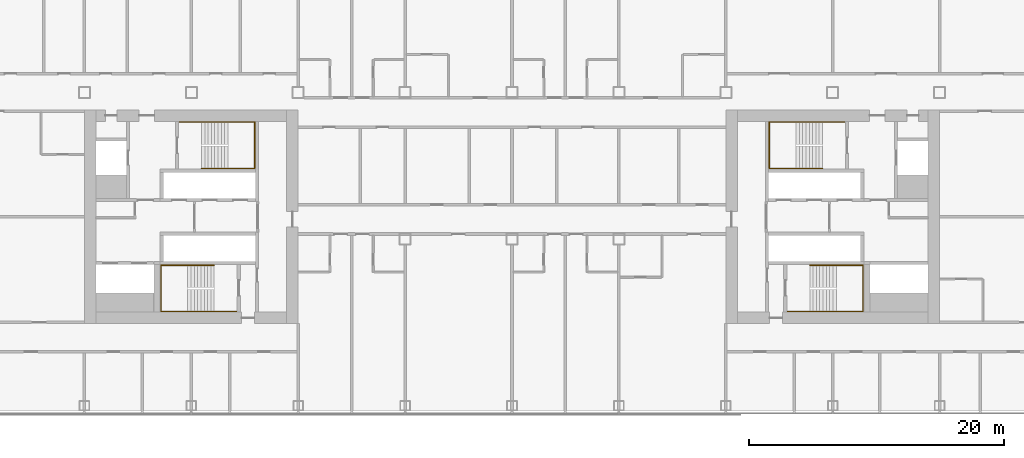
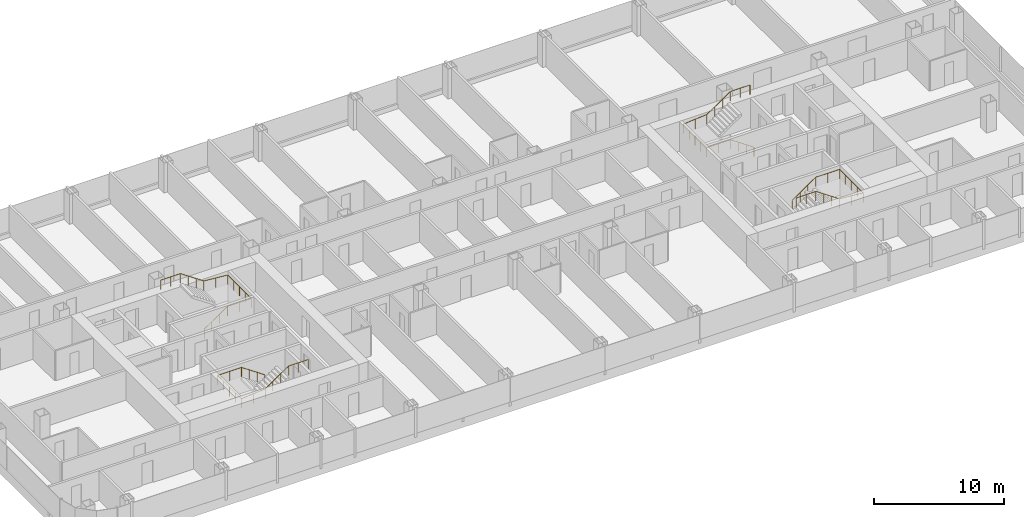
# One storey, part 29 of 29: 4 railings.
"""IFC4 building model written with IfcOpenShell, lengths in metres."""

from ifc_helpers import new_model, si_unit, direction, frame, origin, origin_2d, place, context, subcontext, project, spatial, circle, extrude, material, type_object, element, save


model = new_model("IFC4")

# Units and contexts
model_context = context("Model", 3, precision=1e-05, world=origin(), true_north=direction((0.0, 1.0)))
body_context = subcontext(model_context, "Body", "Model", "MODEL_VIEW")
ifc_project = project(units=[si_unit("LENGTHUNIT", "METRE"), si_unit("AREAUNIT", "SQUARE_METRE"), si_unit("VOLUMEUNIT", "CUBIC_METRE"), si_unit("PLANEANGLEUNIT", "RADIAN"), si_unit("MASSUNIT", "GRAM", prefix="KILO")], contexts=[model_context])

# Site, building, storey
site_placement = place(None, origin())
site = spatial("IfcSite", under=ifc_project, at=site_placement, CompositionType="ELEMENT")
building_placement = place(site_placement, origin())
building = spatial("IfcBuilding", under=site, at=building_placement, Name="Hakoniwa Tower and Hamabe Station Hall", CompositionType="ELEMENT")
storey_placement = place(building_placement, frame((0.0, 0.0, 101.0)))
storey = spatial("IfcBuildingStorey", under=building, at=storey_placement, Name="L28", CompositionType="ELEMENT", Elevation=101.0)

# Railings
ifc_material = material(Name="Stainless steel SUS304", Category="steel")
railing_type = type_object("IfcRailingType", Name="STAIR HANDRAIL 900", PredefinedType="HANDRAIL", material=ifc_material)
railing_1_placement = place(storey_placement, frame((-24.39990234375, 3.81005859375, 0.177734375)))
element("IfcRailing", 1, at=railing_1_placement, inside=storey, type_object=railing_type, Name="Handrail ST-1 L28 1", PredefinedType="HANDRAIL", context=body_context, shape_type="SweptSolid", body=[
    extrude(circle(Radius=0.02392578125, at=origin_2d()), frame((0.0, 0.0, 0.8759765625), z_axis=(0.825433201882, 0.0, 0.564499804456), x_axis=(0.0, 1.0, 0.0)), (0.0, 0.0, 1.0), 2.519775390625),
    extrude(circle(Radius=0.02392578125, at=origin_2d()), frame((2.079833984375, 0.0, 2.29833984375), z_axis=(1.0, 0.0, 0.0), x_axis=(0.0, 1.0, 0.0)), (0.0, 0.0, 1.0), 2.110107421875),
    extrude(circle(Radius=0.02392578125, at=origin_2d()), frame((4.18994140625, 0.0, 2.29833984375), z_axis=(0.0, 1.0, 0.0), x_axis=(-1.0, 0.0, 0.0)), (0.0, 0.0, 1.0), 3.6298828125),
    extrude(circle(Radius=0.02392578125, at=origin_2d()), frame((4.18994140625, 3.6298828125, 2.29833984375), z_axis=(-0.996471417081, 0.0, 0.083932800143), x_axis=(0.0, -1.0, 0.0)), (0.0, 0.0, 1.0), 2.11767578125),
    extrude(circle(Radius=0.02392578125, at=origin_2d()), frame((2.079833984375, 3.6298828125, 2.47607421875), z_axis=(-0.825478349766, 0.0, 0.564433781827), x_axis=(0.0, -1.0, 0.0)), (0.0, 0.0, 1.0), 2.51953125),
    extrude(circle(Radius=0.02392578125, at=origin_2d()), frame((0.0, 3.6298828125, 3.89794921875), z_axis=(-1.0, 0.0, 0.0), x_axis=(0.0, -1.0, 0.0)), (0.0, 0.0, 1.0), 1.739990234375),
    extrude(circle(Radius=0.02099609375, at=origin_2d()), origin(), (0.0, 0.0, 1.0), 0.851806640625),
    extrude(circle(Radius=0.02099609375, at=origin_2d()), frame((0.693359375, 0.0, 0.47412109375)), (0.0, 0.0, 1.0), 0.851806640625),
    extrude(circle(Radius=0.02099609375, at=origin_2d()), frame((1.386474609375, 0.0, 0.9482421875)), (0.0, 0.0, 1.0), 0.851806640625),
    extrude(circle(Radius=0.02099609375, at=origin_2d()), frame((2.079833984375, 0.0, 1.42236328125)), (0.0, 0.0, 1.0), 0.851806640625),
    extrude(circle(Radius=0.02099609375, at=origin_2d()), frame((3.134765625, 0.0, 1.42236328125)), (0.0, 0.0, 1.0), 0.851806640625),
    extrude(circle(Radius=0.02099609375, at=origin_2d()), frame((4.18994140625, 0.0, 1.42236328125)), (0.0, 0.0, 1.0), 0.851806640625),
    extrude(circle(Radius=0.02099609375, at=origin_2d()), frame((4.18994140625, 0.907470703125, 1.42236328125)), (0.0, 0.0, 1.0), 0.851806640625),
    extrude(circle(Radius=0.02099609375, at=origin_2d()), frame((4.18994140625, 1.81494140625, 1.42236328125)), (0.0, 0.0, 1.0), 0.851806640625),
    extrude(circle(Radius=0.02099609375, at=origin_2d()), frame((4.18994140625, 2.722412109375, 1.42236328125)), (0.0, 0.0, 1.0), 0.851806640625),
    extrude(circle(Radius=0.02099609375, at=origin_2d()), frame((4.18994140625, 3.6298828125, 1.42236328125)), (0.0, 0.0, 1.0), 0.851806640625),
    extrude(circle(Radius=0.02099609375, at=origin_2d()), frame((3.134765625, 3.6298828125, 1.51123046875)), (0.0, 0.0, 1.0), 0.851806640625),
    extrude(circle(Radius=0.02099609375, at=origin_2d()), frame((2.079833984375, 3.6298828125, 1.60009765625)), (0.0, 0.0, 1.0), 0.851806640625),
    extrude(circle(Radius=0.02099609375, at=origin_2d()), frame((1.386474609375, 3.6298828125, 2.07421875)), (0.0, 0.0, 1.0), 0.851806640625),
    extrude(circle(Radius=0.02099609375, at=origin_2d()), frame((0.693359375, 3.6298828125, 2.548095703125)), (0.0, 0.0, 1.0), 0.851806640625),
    extrude(circle(Radius=0.02099609375, at=origin_2d()), frame((0.0, 3.6298828125, 3.022216796875)), (0.0, 0.0, 1.0), 0.851806640625),
    extrude(circle(Radius=0.02099609375, at=origin_2d()), frame((-0.8701171875, 3.6298828125, 3.022216796875)), (0.0, 0.0, 1.0), 0.851806640625),
    extrude(circle(Radius=0.02099609375, at=origin_2d()), frame((-1.739990234375, 3.6298828125, 3.022216796875)), (0.0, 0.0, 1.0), 0.851806640625),
])
railing_2_placement = place(storey_placement, frame((-23.39990234375, -3.81005859375, 0.177734375)))
element("IfcRailing", 2, at=railing_2_placement, inside=storey, type_object=railing_type, Name="Handrail ST-2 L28 1", PredefinedType="HANDRAIL", context=body_context, shape_type="SweptSolid", body=[
    extrude(circle(Radius=0.02392578125, at=origin_2d()), frame((0.0, 0.0, 0.8759765625), z_axis=(-0.825464074169, 0.0, 0.564454659168), x_axis=(0.0, -1.0, 0.0)), (0.0, 0.0, 1.0), 2.519775390625),
    extrude(circle(Radius=0.02392578125, at=origin_2d()), frame((-2.080078125, 0.0, 2.29833984375), z_axis=(-1.0, 0.0, 0.0), x_axis=(0.0, -1.0, 0.0)), (0.0, 0.0, 1.0), 2.110107421875),
    extrude(circle(Radius=0.02392578125, at=origin_2d()), frame((-4.190185546875, 0.0, 2.29833984375), z_axis=(0.0, -1.0, 0.0), x_axis=(1.0, 0.0, 0.0)), (0.0, 0.0, 1.0), 3.6298828125),
    extrude(circle(Radius=0.02392578125, at=origin_2d()), frame((-4.190185546875, -3.6298828125, 2.29833984375), z_axis=(0.996471417081, 0.0, 0.083932800143), x_axis=(0.0, 1.0, 0.0)), (0.0, 0.0, 1.0), 2.11767578125),
    extrude(circle(Radius=0.02392578125, at=origin_2d()), frame((-2.080078125, -3.6298828125, 2.47607421875), z_axis=(0.82550921652, 0.0, 0.564388636881), x_axis=(0.0, 1.0, 0.0)), (0.0, 0.0, 1.0), 2.519775390625),
    extrude(circle(Radius=0.02392578125, at=origin_2d()), frame((0.0, -3.6298828125, 3.89794921875), z_axis=(1.0, 0.0, 0.0), x_axis=(0.0, 1.0, 0.0)), (0.0, 0.0, 1.0), 1.739990234375),
    extrude(circle(Radius=0.02099609375, at=origin_2d()), origin(), (0.0, 0.0, 1.0), 0.851806640625),
    extrude(circle(Radius=0.02099609375, at=origin_2d()), frame((-0.693359375, 0.0, 0.47412109375)), (0.0, 0.0, 1.0), 0.851806640625),
    extrude(circle(Radius=0.02099609375, at=origin_2d()), frame((-1.38671875, 0.0, 0.9482421875)), (0.0, 0.0, 1.0), 0.851806640625),
    extrude(circle(Radius=0.02099609375, at=origin_2d()), frame((-2.080078125, 0.0, 1.42236328125)), (0.0, 0.0, 1.0), 0.851806640625),
    extrude(circle(Radius=0.02099609375, at=origin_2d()), frame((-3.13525390625, 0.0, 1.42236328125)), (0.0, 0.0, 1.0), 0.851806640625),
    extrude(circle(Radius=0.02099609375, at=origin_2d()), frame((-4.190185546875, 0.0, 1.42236328125)), (0.0, 0.0, 1.0), 0.851806640625),
    extrude(circle(Radius=0.02099609375, at=origin_2d()), frame((-4.190185546875, -0.907470703125, 1.42236328125)), (0.0, 0.0, 1.0), 0.851806640625),
    extrude(circle(Radius=0.02099609375, at=origin_2d()), frame((-4.190185546875, -1.81494140625, 1.42236328125)), (0.0, 0.0, 1.0), 0.851806640625),
    extrude(circle(Radius=0.02099609375, at=origin_2d()), frame((-4.190185546875, -2.722412109375, 1.42236328125)), (0.0, 0.0, 1.0), 0.851806640625),
    extrude(circle(Radius=0.02099609375, at=origin_2d()), frame((-4.190185546875, -3.6298828125, 1.42236328125)), (0.0, 0.0, 1.0), 0.851806640625),
    extrude(circle(Radius=0.02099609375, at=origin_2d()), frame((-3.13525390625, -3.6298828125, 1.51123046875)), (0.0, 0.0, 1.0), 0.851806640625),
    extrude(circle(Radius=0.02099609375, at=origin_2d()), frame((-2.080078125, -3.6298828125, 1.60009765625)), (0.0, 0.0, 1.0), 0.851806640625),
    extrude(circle(Radius=0.02099609375, at=origin_2d()), frame((-1.38671875, -3.6298828125, 2.07421875)), (0.0, 0.0, 1.0), 0.851806640625),
    extrude(circle(Radius=0.02099609375, at=origin_2d()), frame((-0.693359375, -3.6298828125, 2.548095703125)), (0.0, 0.0, 1.0), 0.851806640625),
    extrude(circle(Radius=0.02099609375, at=origin_2d()), frame((0.0, -3.6298828125, 3.022216796875)), (0.0, 0.0, 1.0), 0.851806640625),
    extrude(circle(Radius=0.02099609375, at=origin_2d()), frame((0.8701171875, -3.6298828125, 3.022216796875)), (0.0, 0.0, 1.0), 0.851806640625),
    extrude(circle(Radius=0.02099609375, at=origin_2d()), frame((1.739990234375, -3.6298828125, 3.022216796875)), (0.0, 0.0, 1.0), 0.851806640625),
])
railing_3_placement = place(storey_placement, frame((24.39990234375, 3.81005859375, 0.177734375)))
element("IfcRailing", 3, at=railing_3_placement, inside=storey, type_object=railing_type, Name="Handrail ST-3 L28 1", PredefinedType="HANDRAIL", context=body_context, shape_type="SweptSolid", body=[
    extrude(circle(Radius=0.02392578125, at=origin_2d()), frame((0.0, 0.0, 0.8759765625), z_axis=(-0.825433201882, 0.0, 0.564499804456), x_axis=(0.0, -1.0, 0.0)), (0.0, 0.0, 1.0), 2.519775390625),
    extrude(circle(Radius=0.02392578125, at=origin_2d()), frame((-2.079833984375, 0.0, 2.29833984375), z_axis=(-1.0, 0.0, 0.0), x_axis=(0.0, -1.0, 0.0)), (0.0, 0.0, 1.0), 2.110107421875),
    extrude(circle(Radius=0.02392578125, at=origin_2d()), frame((-4.18994140625, 0.0, 2.29833984375), z_axis=(0.0, 1.0, 0.0), x_axis=(-1.0, 0.0, 0.0)), (0.0, 0.0, 1.0), 3.6298828125),
    extrude(circle(Radius=0.02392578125, at=origin_2d()), frame((-4.18994140625, 3.6298828125, 2.29833984375), z_axis=(0.996471417081, 0.0, 0.083932800143), x_axis=(0.0, 1.0, 0.0)), (0.0, 0.0, 1.0), 2.11767578125),
    extrude(circle(Radius=0.02392578125, at=origin_2d()), frame((-2.079833984375, 3.6298828125, 2.47607421875), z_axis=(0.825478349766, 0.0, 0.564433781827), x_axis=(0.0, 1.0, 0.0)), (0.0, 0.0, 1.0), 2.51953125),
    extrude(circle(Radius=0.02392578125, at=origin_2d()), frame((0.0, 3.6298828125, 3.89794921875), z_axis=(1.0, 0.0, 0.0), x_axis=(0.0, 1.0, 0.0)), (0.0, 0.0, 1.0), 1.739990234375),
    extrude(circle(Radius=0.02099609375, at=origin_2d()), origin(), (0.0, 0.0, 1.0), 0.851806640625),
    extrude(circle(Radius=0.02099609375, at=origin_2d()), frame((-0.693359375, 0.0, 0.47412109375)), (0.0, 0.0, 1.0), 0.851806640625),
    extrude(circle(Radius=0.02099609375, at=origin_2d()), frame((-1.386474609375, 0.0, 0.9482421875)), (0.0, 0.0, 1.0), 0.851806640625),
    extrude(circle(Radius=0.02099609375, at=origin_2d()), frame((-2.079833984375, 0.0, 1.42236328125)), (0.0, 0.0, 1.0), 0.851806640625),
    extrude(circle(Radius=0.02099609375, at=origin_2d()), frame((-3.134765625, 0.0, 1.42236328125)), (0.0, 0.0, 1.0), 0.851806640625),
    extrude(circle(Radius=0.02099609375, at=origin_2d()), frame((-4.18994140625, 0.0, 1.42236328125)), (0.0, 0.0, 1.0), 0.851806640625),
    extrude(circle(Radius=0.02099609375, at=origin_2d()), frame((-4.18994140625, 0.907470703125, 1.42236328125)), (0.0, 0.0, 1.0), 0.851806640625),
    extrude(circle(Radius=0.02099609375, at=origin_2d()), frame((-4.18994140625, 1.81494140625, 1.42236328125)), (0.0, 0.0, 1.0), 0.851806640625),
    extrude(circle(Radius=0.02099609375, at=origin_2d()), frame((-4.18994140625, 2.722412109375, 1.42236328125)), (0.0, 0.0, 1.0), 0.851806640625),
    extrude(circle(Radius=0.02099609375, at=origin_2d()), frame((-4.18994140625, 3.6298828125, 1.42236328125)), (0.0, 0.0, 1.0), 0.851806640625),
    extrude(circle(Radius=0.02099609375, at=origin_2d()), frame((-3.134765625, 3.6298828125, 1.51123046875)), (0.0, 0.0, 1.0), 0.851806640625),
    extrude(circle(Radius=0.02099609375, at=origin_2d()), frame((-2.079833984375, 3.6298828125, 1.60009765625)), (0.0, 0.0, 1.0), 0.851806640625),
    extrude(circle(Radius=0.02099609375, at=origin_2d()), frame((-1.386474609375, 3.6298828125, 2.07421875)), (0.0, 0.0, 1.0), 0.851806640625),
    extrude(circle(Radius=0.02099609375, at=origin_2d()), frame((-0.693359375, 3.6298828125, 2.548095703125)), (0.0, 0.0, 1.0), 0.851806640625),
    extrude(circle(Radius=0.02099609375, at=origin_2d()), frame((0.0, 3.6298828125, 3.022216796875)), (0.0, 0.0, 1.0), 0.851806640625),
    extrude(circle(Radius=0.02099609375, at=origin_2d()), frame((0.8701171875, 3.6298828125, 3.022216796875)), (0.0, 0.0, 1.0), 0.851806640625),
    extrude(circle(Radius=0.02099609375, at=origin_2d()), frame((1.739990234375, 3.6298828125, 3.022216796875)), (0.0, 0.0, 1.0), 0.851806640625),
])
railing_4_placement = place(storey_placement, frame((23.39990234375, -3.81005859375, 0.177734375)))
element("IfcRailing", 4, at=railing_4_placement, inside=storey, type_object=railing_type, Name="Handrail ST-4 L28 1", PredefinedType="HANDRAIL", context=body_context, shape_type="SweptSolid", body=[
    extrude(circle(Radius=0.02392578125, at=origin_2d()), frame((0.0, 0.0, 0.8759765625), z_axis=(0.825464074169, 0.0, 0.564454659168), x_axis=(0.0, 1.0, 0.0)), (0.0, 0.0, 1.0), 2.519775390625),
    extrude(circle(Radius=0.02392578125, at=origin_2d()), frame((2.080078125, 0.0, 2.29833984375), z_axis=(1.0, 0.0, 0.0), x_axis=(0.0, 1.0, 0.0)), (0.0, 0.0, 1.0), 2.110107421875),
    extrude(circle(Radius=0.02392578125, at=origin_2d()), frame((4.190185546875, 0.0, 2.29833984375), z_axis=(0.0, -1.0, 0.0), x_axis=(1.0, 0.0, 0.0)), (0.0, 0.0, 1.0), 3.6298828125),
    extrude(circle(Radius=0.02392578125, at=origin_2d()), frame((4.190185546875, -3.6298828125, 2.29833984375), z_axis=(-0.996471417081, 0.0, 0.083932800143), x_axis=(0.0, -1.0, 0.0)), (0.0, 0.0, 1.0), 2.11767578125),
    extrude(circle(Radius=0.02392578125, at=origin_2d()), frame((2.080078125, -3.6298828125, 2.47607421875), z_axis=(-0.82550921652, 0.0, 0.564388636881), x_axis=(0.0, -1.0, 0.0)), (0.0, 0.0, 1.0), 2.519775390625),
    extrude(circle(Radius=0.02392578125, at=origin_2d()), frame((0.0, -3.6298828125, 3.89794921875), z_axis=(-1.0, 0.0, 0.0), x_axis=(0.0, -1.0, 0.0)), (0.0, 0.0, 1.0), 1.739990234375),
    extrude(circle(Radius=0.02099609375, at=origin_2d()), origin(), (0.0, 0.0, 1.0), 0.851806640625),
    extrude(circle(Radius=0.02099609375, at=origin_2d()), frame((0.693359375, 0.0, 0.47412109375)), (0.0, 0.0, 1.0), 0.851806640625),
    extrude(circle(Radius=0.02099609375, at=origin_2d()), frame((1.38671875, 0.0, 0.9482421875)), (0.0, 0.0, 1.0), 0.851806640625),
    extrude(circle(Radius=0.02099609375, at=origin_2d()), frame((2.080078125, 0.0, 1.42236328125)), (0.0, 0.0, 1.0), 0.851806640625),
    extrude(circle(Radius=0.02099609375, at=origin_2d()), frame((3.13525390625, 0.0, 1.42236328125)), (0.0, 0.0, 1.0), 0.851806640625),
    extrude(circle(Radius=0.02099609375, at=origin_2d()), frame((4.190185546875, 0.0, 1.42236328125)), (0.0, 0.0, 1.0), 0.851806640625),
    extrude(circle(Radius=0.02099609375, at=origin_2d()), frame((4.190185546875, -0.907470703125, 1.42236328125)), (0.0, 0.0, 1.0), 0.851806640625),
    extrude(circle(Radius=0.02099609375, at=origin_2d()), frame((4.190185546875, -1.81494140625, 1.42236328125)), (0.0, 0.0, 1.0), 0.851806640625),
    extrude(circle(Radius=0.02099609375, at=origin_2d()), frame((4.190185546875, -2.722412109375, 1.42236328125)), (0.0, 0.0, 1.0), 0.851806640625),
    extrude(circle(Radius=0.02099609375, at=origin_2d()), frame((4.190185546875, -3.6298828125, 1.42236328125)), (0.0, 0.0, 1.0), 0.851806640625),
    extrude(circle(Radius=0.02099609375, at=origin_2d()), frame((3.13525390625, -3.6298828125, 1.51123046875)), (0.0, 0.0, 1.0), 0.851806640625),
    extrude(circle(Radius=0.02099609375, at=origin_2d()), frame((2.080078125, -3.6298828125, 1.60009765625)), (0.0, 0.0, 1.0), 0.851806640625),
    extrude(circle(Radius=0.02099609375, at=origin_2d()), frame((1.38671875, -3.6298828125, 2.07421875)), (0.0, 0.0, 1.0), 0.851806640625),
    extrude(circle(Radius=0.02099609375, at=origin_2d()), frame((0.693359375, -3.6298828125, 2.548095703125)), (0.0, 0.0, 1.0), 0.851806640625),
    extrude(circle(Radius=0.02099609375, at=origin_2d()), frame((0.0, -3.6298828125, 3.022216796875)), (0.0, 0.0, 1.0), 0.851806640625),
    extrude(circle(Radius=0.02099609375, at=origin_2d()), frame((-0.8701171875, -3.6298828125, 3.022216796875)), (0.0, 0.0, 1.0), 0.851806640625),
    extrude(circle(Radius=0.02099609375, at=origin_2d()), frame((-1.739990234375, -3.6298828125, 3.022216796875)), (0.0, 0.0, 1.0), 0.851806640625),
])

save(model, "model.ifc")
